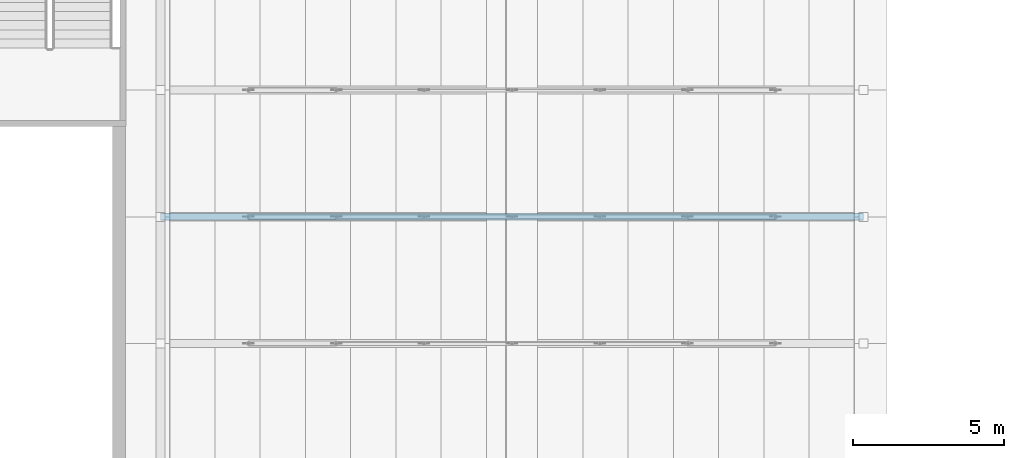
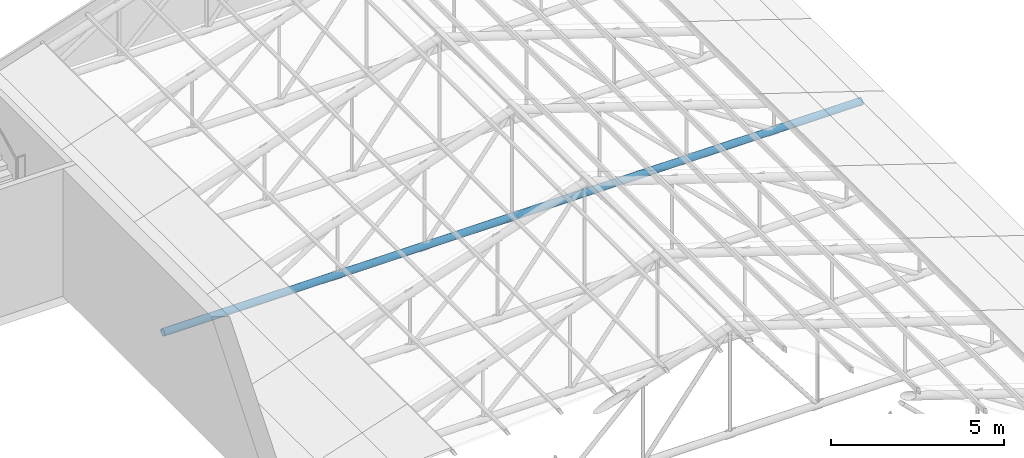
# One storey, part 42 of 95: 1 member.
"""IFC4 building model written with IfcOpenShell, lengths in metres."""

from ifc_helpers import new_model, si_unit, direction, frame, origin, origin_2d, place, context, subcontext, project, spatial, hollow_circle, extrude, material, material_profile, profile_set, type_object, element, save


model = new_model("IFC4")

# Units and contexts
model_context = context("Model", 3, precision=1e-05, world=origin(), true_north=direction((0.0, 1.0)))
body_context = subcontext(model_context, "Body", "Model", "MODEL_VIEW")
ifc_project = project(units=[si_unit("LENGTHUNIT", "METRE"), si_unit("AREAUNIT", "SQUARE_METRE"), si_unit("VOLUMEUNIT", "CUBIC_METRE"), si_unit("PLANEANGLEUNIT", "RADIAN"), si_unit("MASSUNIT", "GRAM", prefix="KILO")], contexts=[model_context])

# Site, building, storey
site_placement = place(None, origin())
site = spatial("IfcSite", under=ifc_project, at=site_placement, CompositionType="ELEMENT")
building_placement = place(site_placement, origin())
building = spatial("IfcBuilding", under=site, at=building_placement, Name="Kiln Court Media Centre", CompositionType="ELEMENT")
storey_placement = place(building_placement, frame((0.0, 0.0, 24.60009765625)))
storey = spatial("IfcBuildingStorey", under=building, at=storey_placement, Name="L05", CompositionType="ELEMENT", Elevation=24.60009765625)

# Member
ifc_material = material(Name="Steel ASTM A500 Gr C", Category="steel")
ifc_material_profile = material_profile(ifc_material, hollow_circle(Radius=0.122314453125, WallThickness=0.010009765625, at=origin_2d()), Name="CHS 244.5x10.0")
ifc_profile_set = profile_set([ifc_material_profile], Name="Steel ASTM A500 Gr C")
member_type = type_object("IfcMemberType", Name="Steel ASTM A500 Gr C CHS 244.5x10.0 truss chord", PredefinedType="CHORD", material=ifc_profile_set)
member_placement = place(storey_placement, frame((34.75, 54.60009765625, -0.013916015625), z_axis=(1.0, 0.0, 0.0), x_axis=(0.0, 1.0, 0.0)))
element("IfcMember", 1, at=member_placement, inside=storey, type_object=member_type, Name="foyer truss FT-08 bottom chord truss chord", PredefinedType="CHORD", context=body_context, shape_type="SweptSolid", body=[
    extrude(hollow_circle(Radius=0.122314453125, WallThickness=0.010009765625, at=origin_2d()), origin(), (0.0, 0.0, 1.0), 23.300048828125),
])

save(model, "model.ifc")
